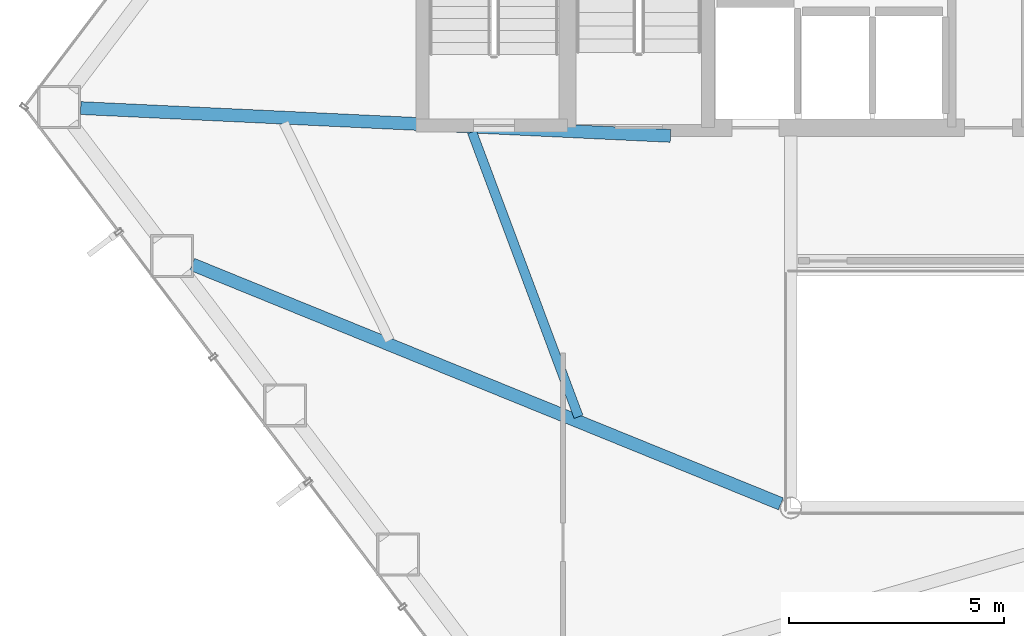
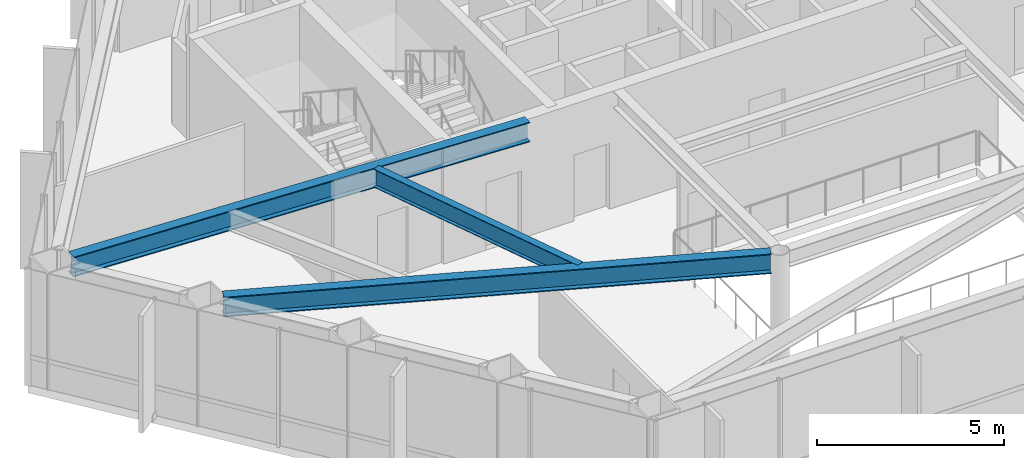
# One storey, part 4 of 26: 3 beams.
"""IFC4 building model written with IfcOpenShell, lengths in metres."""

from ifc_helpers import new_model, si_unit, direction, frame, origin, origin_2d, place, context, subcontext, project, spatial, i_section, extrude, material, material_profile, profile_set, type_object, element, save


model = new_model("IFC4")

# Units and contexts
model_context = context("Model", 3, precision=1e-05, world=origin(), true_north=direction((0.0, 1.0)))
body_context = subcontext(model_context, "Body", "Model", "MODEL_VIEW")
ifc_project = project(units=[si_unit("LENGTHUNIT", "METRE"), si_unit("AREAUNIT", "SQUARE_METRE"), si_unit("VOLUMEUNIT", "CUBIC_METRE"), si_unit("PLANEANGLEUNIT", "RADIAN"), si_unit("MASSUNIT", "GRAM", prefix="KILO")], contexts=[model_context])

# Site, building, storey
site_placement = place(None, origin())
site = spatial("IfcSite", under=ifc_project, at=site_placement, CompositionType="ELEMENT")
building_placement = place(site_placement, origin())
building = spatial("IfcBuilding", under=site, at=building_placement, Name="Zarrinselat Tower", CompositionType="ELEMENT")
storey_placement = place(building_placement, frame((0.0, 0.0, 27.5400390625)))
storey = spatial("IfcBuildingStorey", under=building, at=storey_placement, Name="L06", CompositionType="ELEMENT", Elevation=27.5400390625)

# Beams
ifc_material_1 = material(Name="Steel S355J2", Category="steel")
ifc_material_profile_1 = material_profile(ifc_material_1, i_section(OverallWidth=0.300048828125, OverallDepth=0.64990234375, WebThickness=0.01611328125, FlangeThickness=0.031005859375, at=origin_2d()), Name="HEB 650")
ifc_profile_set_1 = profile_set([ifc_material_profile_1], Name="Steel S355J2")
beam_type_1 = type_object("IfcBeamType", Name="BM-HEB650", PredefinedType="BEAM", material=ifc_profile_set_1)
beam_1_placement = place(storey_placement, frame((17.26953125, 33.707763671875, 3.494873046875), z_axis=(0.998889215529, -0.047120431878, 0.0), x_axis=(0.047120431878, 0.998889215529, 0.0)))
element("IfcBeam", 1, at=beam_1_placement, inside=storey, type_object=beam_type_1, Name="L06 Radial Primary Girder RG06", PredefinedType="BEAM", context=body_context, shape_type="SweptSolid", body=[
    extrude(i_section(OverallWidth=0.300048828125, OverallDepth=0.64990234375, WebThickness=0.01611328125, FlangeThickness=0.031005859375, at=origin_2d()), origin(), (0.0, 0.0, 1.0), 13.745849609375),
])
beam_2_placement = place(storey_placement, frame((19.864013671875, 30.069580078125, 3.494873046875), z_axis=(0.926276754833, -0.376843964337, 0.0), x_axis=(0.376843964337, 0.926276754833, 0.0)))
element("IfcBeam", 2, at=beam_2_placement, inside=storey, type_object=beam_type_1, Name="L06 Radial Primary Girder RG07", PredefinedType="BEAM", context=body_context, shape_type="SweptSolid", body=[
    extrude(i_section(OverallWidth=0.300048828125, OverallDepth=0.64990234375, WebThickness=0.01611328125, FlangeThickness=0.031005859375, at=origin_2d()), origin(), (0.0, 0.0, 1.0), 14.795166015625),
])
ifc_material_2 = material(Name="Steel S355J2", Category="steel")
ifc_material_profile_2 = material_profile(ifc_material_2, i_section(OverallWidth=0.219970703125, OverallDepth=0.60009765625, WebThickness=0.011962890625, FlangeThickness=0.01904296875, at=origin_2d()), Name="IPE 600")
ifc_profile_set_2 = profile_set([ifc_material_profile_2], Name="Steel S355J2")
beam_type_2 = type_object("IfcBeamType", Name="BM-IPE600", PredefinedType="JOIST", material=ifc_profile_set_2)
beam_3_placement = place(storey_placement, frame((26.380615234375, 33.149169921875, 3.52001953125), z_axis=(0.350340703982, -0.93662233111, 0.0), x_axis=(0.93662233111, 0.350340703982, 0.0)))
element("IfcBeam", 3, at=beam_3_placement, inside=storey, type_object=beam_type_2, Name="L06 Composite Floor Joist 1-2", PredefinedType="JOIST", context=body_context, shape_type="SweptSolid", body=[
    extrude(i_section(OverallWidth=0.219970703125, OverallDepth=0.60009765625, WebThickness=0.011962890625, FlangeThickness=0.01904296875, at=origin_2d()), origin(), (0.0, 0.0, 1.0), 7.07666015625),
])

save(model, "model.ifc")
